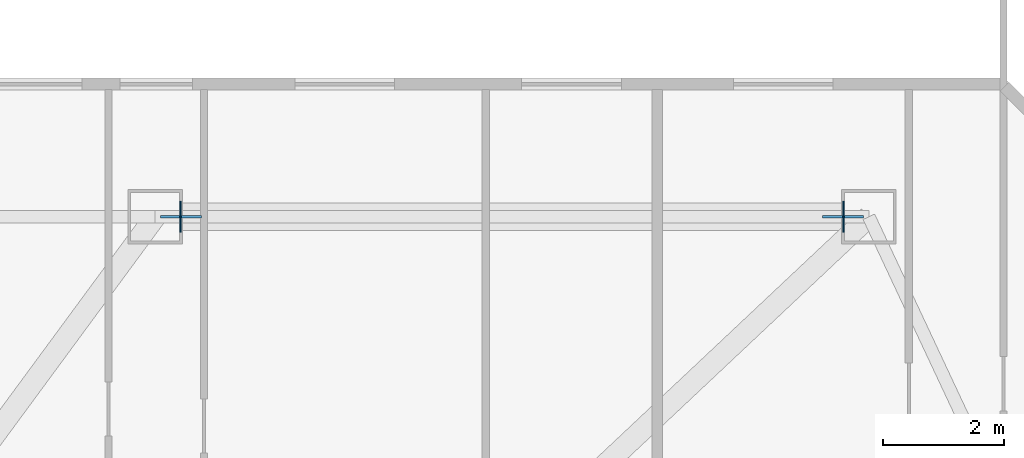
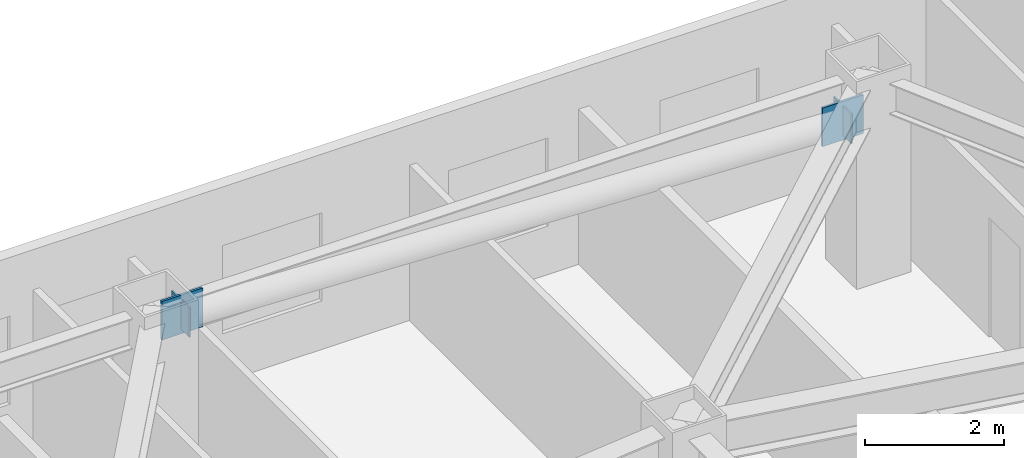
# One storey, part 8 of 16: 4 plates.
"""IFC4 building model written with IfcOpenShell, lengths in metres."""

from ifc_helpers import new_model, si_unit, direction, frame, origin, origin_2d, place, context, subcontext, project, spatial, rectangle, extrude, material, layer, layer_set, type_object, element, save


model = new_model("IFC4")

# Units and contexts
model_context = context("Model", 3, precision=1e-05, world=origin(), true_north=direction((0.0, 1.0)))
body_context = subcontext(model_context, "Body", "Model", "MODEL_VIEW")
ifc_project = project(units=[si_unit("LENGTHUNIT", "METRE"), si_unit("AREAUNIT", "SQUARE_METRE"), si_unit("VOLUMEUNIT", "CUBIC_METRE"), si_unit("PLANEANGLEUNIT", "RADIAN"), si_unit("MASSUNIT", "GRAM", prefix="KILO")], contexts=[model_context])

# Site, building, storey
site_placement = place(None, origin())
site = spatial("IfcSite", under=ifc_project, at=site_placement, CompositionType="ELEMENT")
building_placement = place(site_placement, origin())
building = spatial("IfcBuilding", under=site, at=building_placement, Name="Khamvora Tower", CompositionType="ELEMENT")
storey_placement = place(building_placement, frame((0.0, 0.0, 170.5)))
storey = spatial("IfcBuildingStorey", under=building, at=storey_placement, Name="L43", CompositionType="ELEMENT", Elevation=170.5)

# Plates
ifc_material_1 = material(Name="Steel S355", Category="steel")
ifc_layer_1 = layer(ifc_material_1, 0.02490234375)
ifc_layer_set_1 = layer_set([ifc_layer_1], Name="Steel S355")
plate_type_1 = type_object("IfcPlateType", Name="PL-CAP-25", PredefinedType="SHEET", material=ifc_layer_set_1)
for number, where, z_axis, x_axis, name in (
    (1, (56.33203125, 44.5, 2.4384765625), (0.0, 0.0, 1.0), (-1.0, 0.0, 0.0), "L43 hollow section steel end cap plate 0954"),
    (2, (45.3349609375, 44.5, 2.886474609375), (0.0, 0.0, 1.0), (-1.0, 0.0, 0.0), "L43 hollow section steel end cap plate 0955"),
):
    element("IfcPlate", number, at=place(storey_placement, frame(where, z_axis=z_axis, x_axis=x_axis)), inside=storey, type_object=plate_type_1, Name=name, PredefinedType="SHEET", context=body_context, shape_type="SweptSolid", body=[
        extrude(rectangle(XDim=0.02490234375, YDim=0.51708984375, at=origin_2d()), origin(), (0.0, 0.0, 1.0), 0.51708984375),
    ])
ifc_material_2 = material(Name="Steel S460", Category="steel")
ifc_layer_2 = layer(ifc_material_2, 0.0400390625)
ifc_layer_set_2 = layer_set([ifc_layer_2], Name="Steel S460")
plate_type_2 = type_object("IfcPlateType", Name="PLT-GUS-40", PredefinedType="SHEET", material=ifc_layer_set_2)
for number, where, z_axis, x_axis, name in (
    (3, (56.320068359375, 44.5, 2.35791015625), (0.0, 0.0, 1.0), (1.0, 0.0, 0.0), "L43 brace connection node gusset plate 0291"),
    (4, (45.346923828125, 44.5, 2.80419921875), (0.0, 0.0, 1.0), (1.0, 0.0, 0.0), "L43 brace connection node gusset plate 0292"),
):
    element("IfcPlate", number, at=place(storey_placement, frame(where, z_axis=z_axis, x_axis=x_axis)), inside=storey, type_object=plate_type_2, Name=name, PredefinedType="SHEET", context=body_context, shape_type="SweptSolid", body=[
        extrude(rectangle(XDim=0.679931640625, YDim=0.0400390625, at=origin_2d()), origin(), (0.0, 0.0, 1.0), 0.679931640625),
    ])

save(model, "model.ifc")
